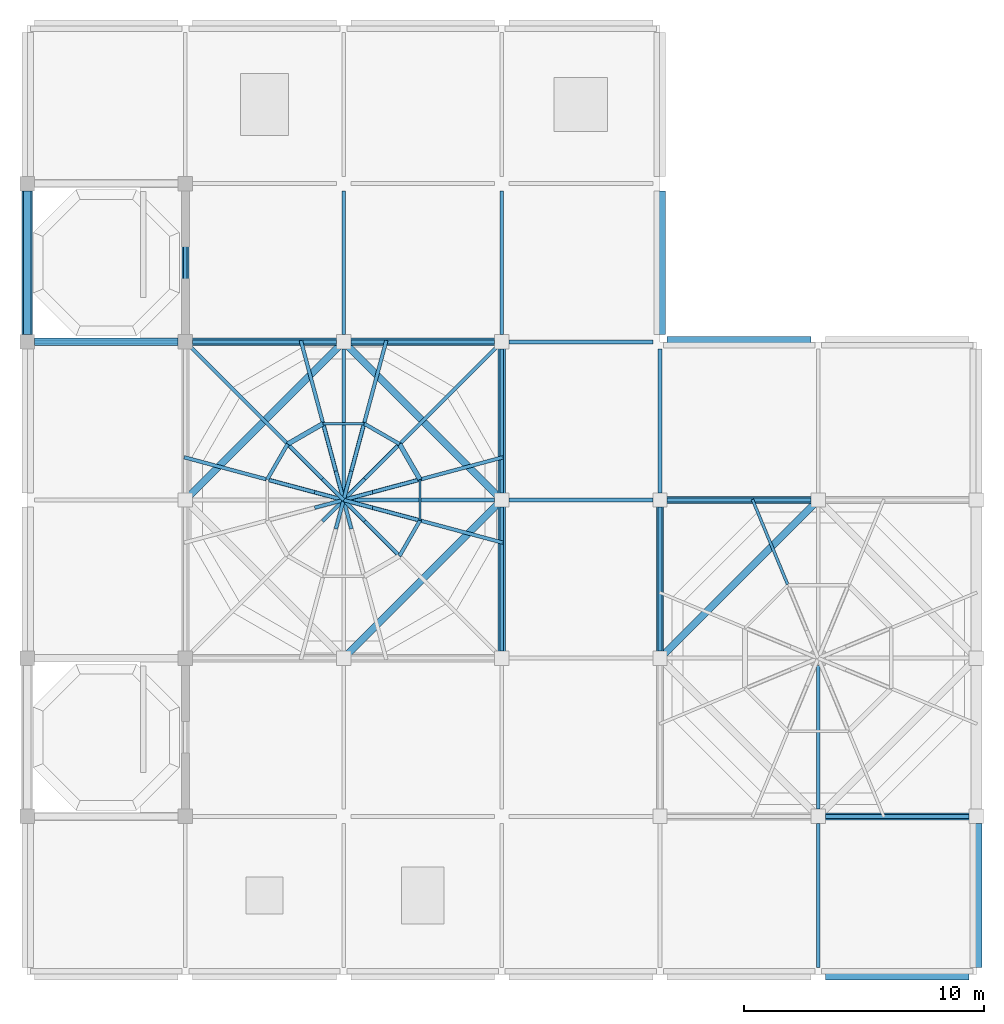
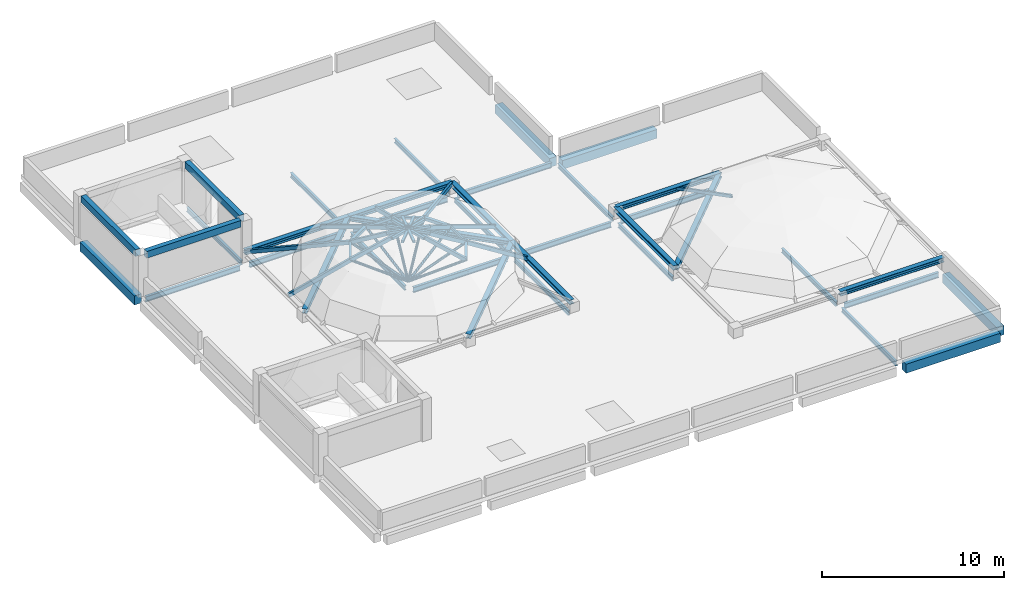
# One storey, part 2 of 5: 43 members, 37 beams.
"""IFC4 building model written with IfcOpenShell, lengths in metres."""

from ifc_helpers import new_model, si_unit, direction, frame, origin, origin_2d, place, context, subcontext, project, spatial, rectangle, hollow_rectangle, hollow_circle, i_section, extrude, material, material_profile, profile_set, type_object, element, save


model = new_model("IFC4")

# Units and contexts
model_context = context("Model", 3, precision=1e-05, world=origin(), true_north=direction((0.0, 1.0)))
body_context = subcontext(model_context, "Body", "Model", "MODEL_VIEW")
ifc_project = project(units=[si_unit("LENGTHUNIT", "METRE"), si_unit("AREAUNIT", "SQUARE_METRE"), si_unit("VOLUMEUNIT", "CUBIC_METRE"), si_unit("PLANEANGLEUNIT", "RADIAN"), si_unit("MASSUNIT", "GRAM", prefix="KILO")], contexts=[model_context])

# Site, building, storey
site_placement = place(None, origin())
site = spatial("IfcSite", under=ifc_project, at=site_placement, CompositionType="ELEMENT")
building_placement = place(site_placement, origin())
building = spatial("IfcBuilding", under=site, at=building_placement, Name="Rusizi Kubbe Research Institute", CompositionType="ELEMENT")
storey_placement = place(building_placement, frame((0.0, 0.0, 73.199951171875)))
storey = spatial("IfcBuildingStorey", under=building, at=storey_placement, Name="ROOF", CompositionType="ELEMENT", Elevation=73.199951171875)

# Beams
ifc_material_1 = material(Name="Steel S355", Category="steel")
ifc_material_profile_1 = material_profile(ifc_material_1, i_section(OverallWidth=0.300048828125, OverallDepth=0.300048828125, WebThickness=0.010986328125, FlangeThickness=0.01904296875, at=origin_2d()), Name="HEB 300")
ifc_profile_set_1 = profile_set([ifc_material_profile_1], Name="Steel S355")
beam_type_1 = type_object("IfcBeamType", Name="BM-HEB300", PredefinedType="BEAM", material=ifc_profile_set_1)
beam_1_placement = place(storey_placement, frame((19.800048828125, 13.199951171875, 0.5), z_axis=(0.0, 1.0, 0.0), x_axis=(-1.0, 0.0, 0.0)))
element("IfcBeam", 1, at=beam_1_placement, inside=storey, type_object=beam_type_1, Name="Kubbe Dome Ring Beam DOME-CRN1 E1", PredefinedType="BEAM", context=body_context, shape_type="SweptSolid", body=[
    extrude(i_section(OverallWidth=0.300048828125, OverallDepth=0.300048828125, WebThickness=0.010986328125, FlangeThickness=0.01904296875, at=origin_2d()), origin(), (0.0, 0.0, 1.0), 6.60009765625),
])
for number, where, z_axis, x_axis, name in (
    (2, (19.800048828125, 19.800048828125, 0.5), (0.0, 1.0, 0.0), (-1.0, 0.0, 0.0), "Kubbe Dome Ring Beam DOME-CRN1 E2"),
    (3, (6.60009765625, 26.39990234375, 0.5), (1.0, 0.0, 0.0), (0.0, 1.0, 0.0), "Kubbe Dome Ring Beam DOME-CRN1 N1"),
):
    element("IfcBeam", number, at=place(storey_placement, frame(where, z_axis=z_axis, x_axis=x_axis)), inside=storey, type_object=beam_type_1, Name=name, PredefinedType="BEAM", context=body_context, shape_type="SweptSolid", body=[
        extrude(i_section(OverallWidth=0.300048828125, OverallDepth=0.300048828125, WebThickness=0.010986328125, FlangeThickness=0.01904296875, at=origin_2d()), origin(), (0.0, 0.0, 1.0), 6.599853515625),
    ])
beam_2_placement = place(storey_placement, frame((13.199951171875, 26.39990234375, 0.5), z_axis=(1.0, 0.0, 0.0), x_axis=(0.0, 1.0, 0.0)))
element("IfcBeam", 4, at=beam_2_placement, inside=storey, type_object=beam_type_1, Name="Kubbe Dome Ring Beam DOME-CRN1 N2", PredefinedType="BEAM", context=body_context, shape_type="SweptSolid", body=[
    extrude(i_section(OverallWidth=0.300048828125, OverallDepth=0.300048828125, WebThickness=0.010986328125, FlangeThickness=0.01904296875, at=origin_2d()), origin(), (0.0, 0.0, 1.0), 6.60009765625),
])
beam_3_placement = place(storey_placement, frame((13.199951171875, 13.199951171875, 0.5), z_axis=(0.707106781187, 0.707106781187, 0.0), x_axis=(-0.707106781187, 0.707106781187, 0.0)))
element("IfcBeam", 5, at=beam_3_placement, inside=storey, type_object=beam_type_1, Name="Kubbe Dome Ring Beam DOME-CRN1 PSE", PredefinedType="BEAM", context=body_context, shape_type="SweptSolid", body=[
    extrude(i_section(OverallWidth=0.300048828125, OverallDepth=0.300048828125, WebThickness=0.010986328125, FlangeThickness=0.01904296875, at=origin_2d()), origin(), (0.0, 0.0, 1.0), 9.333984375),
])
beam_4_placement = place(storey_placement, frame((19.800048828125, 19.800048828125, 0.5), z_axis=(-0.707119859409, 0.707093702722, 0.0), x_axis=(-0.707093702722, -0.707119859409, 0.0)))
element("IfcBeam", 6, at=beam_4_placement, inside=storey, type_object=beam_type_1, Name="Kubbe Dome Ring Beam DOME-CRN1 PNE", PredefinedType="BEAM", context=body_context, shape_type="SweptSolid", body=[
    extrude(i_section(OverallWidth=0.300048828125, OverallDepth=0.300048828125, WebThickness=0.010986328125, FlangeThickness=0.01904296875, at=origin_2d()), origin(), (0.0, 0.0, 1.0), 9.333740234375),
])
beam_5_placement = place(storey_placement, frame((13.199951171875, 26.39990234375, 0.5), z_axis=(-0.707106781187, -0.707106781187, 0.0), x_axis=(0.707106781187, -0.707106781187, 0.0)))
element("IfcBeam", 7, at=beam_5_placement, inside=storey, type_object=beam_type_1, Name="Kubbe Dome Ring Beam DOME-CRN1 PNW", PredefinedType="BEAM", context=body_context, shape_type="SweptSolid", body=[
    extrude(i_section(OverallWidth=0.300048828125, OverallDepth=0.300048828125, WebThickness=0.010986328125, FlangeThickness=0.01904296875, at=origin_2d()), origin(), (0.0, 0.0, 1.0), 9.33349609375),
])
for number, where, z_axis, x_axis, name in (
    (8, (33.0, 6.60009765625, 0.5), (1.0, 0.0, 0.0), (0.0, 1.0, 0.0), "Kubbe Dome Ring Beam DOME-CRN2 S2"),
    (9, (26.39990234375, 19.800048828125, 0.5), (1.0, 0.0, 0.0), (0.0, 1.0, 0.0), "Kubbe Dome Ring Beam DOME-CRN2 N1"),
    (10, (26.39990234375, 13.199951171875, 0.5), (0.0, 1.0, 0.0), (-1.0, 0.0, 0.0), "Kubbe Dome Ring Beam DOME-CRN2 W2"),
):
    element("IfcBeam", number, at=place(storey_placement, frame(where, z_axis=z_axis, x_axis=x_axis)), inside=storey, type_object=beam_type_1, Name=name, PredefinedType="BEAM", context=body_context, shape_type="SweptSolid", body=[
        extrude(i_section(OverallWidth=0.300048828125, OverallDepth=0.300048828125, WebThickness=0.010986328125, FlangeThickness=0.01904296875, at=origin_2d()), origin(), (0.0, 0.0, 1.0), 6.60009765625),
    ])
beam_6_placement = place(storey_placement, frame((33.0, 19.800048828125, 0.5), z_axis=(-0.707106781187, -0.707106781187, 0.0), x_axis=(0.707106781187, -0.707106781187, 0.0)))
element("IfcBeam", 11, at=beam_6_placement, inside=storey, type_object=beam_type_1, Name="Kubbe Dome Ring Beam DOME-CRN2 PNW", PredefinedType="BEAM", context=body_context, shape_type="SweptSolid", body=[
    extrude(i_section(OverallWidth=0.300048828125, OverallDepth=0.300048828125, WebThickness=0.010986328125, FlangeThickness=0.01904296875, at=origin_2d()), origin(), (0.0, 0.0, 1.0), 9.333984375),
])
ifc_material_2 = material(Name="Steel S355", Category="steel")
ifc_material_profile_2 = material_profile(ifc_material_2, i_section(OverallWidth=0.14990234375, OverallDepth=0.300048828125, WebThickness=0.007080078125, FlangeThickness=0.0107421875, at=origin_2d()), Name="IPE 300")
ifc_profile_set_2 = profile_set([ifc_material_profile_2], Name="Steel S355")
beam_type_2 = type_object("IfcBeamType", Name="BM-IPE300", PredefinedType="BEAM", material=ifc_profile_set_2)
for number, where, z_axis, x_axis, name in (
    (12, (6.60009765625, 26.699951171875, -0.429931640625), (0.0, 1.0, 0.0), (-1.0, 0.0, 0.0), "Grid Beam V ROOF (1,4)"),
    (13, (13.199951171875, 20.10009765625, -0.429931640625), (0.0, 1.0, 0.0), (-1.0, 0.0, 0.0), "Grid Beam V ROOF (2,3)"),
    (14, (13.199951171875, 26.699951171875, -0.429931640625), (0.0, 1.0, 0.0), (-1.0, 0.0, 0.0), "Grid Beam V ROOF (2,4)"),
    (15, (19.800048828125, 13.5, -0.429931640625), (0.0, 1.0, 0.0), (-1.0, 0.0, 0.0), "Grid Beam V ROOF (3,2)"),
    (16, (19.800048828125, 20.10009765625, -0.429931640625), (0.0, 1.0, 0.0), (-1.0, 0.0, 0.0), "Grid Beam V ROOF (3,3)"),
    (17, (19.800048828125, 26.699951171875, -0.429931640625), (0.0, 1.0, 0.0), (-1.0, 0.0, 0.0), "Grid Beam V ROOF (3,4)"),
    (18, (26.39990234375, 13.5, -0.429931640625), (0.0, 1.0, 0.0), (-1.0, 0.0, 0.0), "Grid Beam V ROOF (4,2)"),
    (19, (26.39990234375, 20.10009765625, -0.429931640625), (0.0, 1.0, 0.0), (-1.0, 0.0, 0.0), "Grid Beam V ROOF (4,3)"),
    (20, (33.0, 0.300048828125, -0.429931640625), (0.0, 1.0, 0.0), (-1.0, 0.0, 0.0), "Grid Beam V ROOF (5,0)"),
    (21, (33.0, 6.89990234375, -0.429931640625), (0.0, 1.0, 0.0), (-1.0, 0.0, 0.0), "Grid Beam V ROOF (5,1)"),
):
    element("IfcBeam", number, at=place(storey_placement, frame(where, z_axis=z_axis, x_axis=x_axis)), inside=storey, type_object=beam_type_2, Name=name, PredefinedType="BEAM", context=body_context, shape_type="SweptSolid", body=[
        extrude(i_section(OverallWidth=0.14990234375, OverallDepth=0.300048828125, WebThickness=0.007080078125, FlangeThickness=0.0107421875, at=origin_2d()), origin(), (0.0, 0.0, 1.0), 6.0),
    ])
ifc_material_3 = material(Name="Steel S355", Category="steel")
ifc_material_profile_3 = material_profile(ifc_material_3, i_section(OverallWidth=0.169921875, OverallDepth=0.360107421875, WebThickness=0.008056640625, FlangeThickness=0.0126953125, at=origin_2d()), Name="IPE 360")
ifc_profile_set_3 = profile_set([ifc_material_profile_3], Name="Steel S355")
beam_type_3 = type_object("IfcBeamType", Name="BM-IPE360", PredefinedType="BEAM", material=ifc_profile_set_3)
for number, where, z_axis, x_axis, name in (
    (22, (0.300048828125, 26.39990234375, -0.4599609375), (1.0, 0.0, 0.0), (0.0, 1.0, 0.0), "Grid Beam H ROOF (0,4)"),
    (23, (6.89990234375, 26.39990234375, -0.4599609375), (1.0, 0.0, 0.0), (0.0, 1.0, 0.0), "Grid Beam H ROOF (1,4)"),
    (24, (13.5, 19.800048828125, -0.4599609375), (1.0, 0.0, 0.0), (0.0, 1.0, 0.0), "Grid Beam H ROOF (2,3)"),
    (25, (13.5, 26.39990234375, -0.4599609375), (1.0, 0.0, 0.0), (0.0, 1.0, 0.0), "Grid Beam H ROOF (2,4)"),
    (26, (20.10009765625, 19.800048828125, -0.4599609375), (1.0, 0.0, 0.0), (0.0, 1.0, 0.0), "Grid Beam H ROOF (3,3)"),
    (27, (20.10009765625, 26.39990234375, -0.4599609375), (1.0, 0.0, 0.0), (0.0, 1.0, 0.0), "Grid Beam H ROOF (3,4)"),
    (28, (26.699951171875, 19.800048828125, -0.4599609375), (1.0, 0.0, 0.0), (0.0, 1.0, 0.0), "Grid Beam H ROOF (4,3)"),
    (29, (33.300048828125, 6.60009765625, -0.4599609375), (1.0, 0.0, 0.0), (0.0, 1.0, 0.0), "Grid Beam H ROOF (5,1)"),
):
    element("IfcBeam", number, at=place(storey_placement, frame(where, z_axis=z_axis, x_axis=x_axis)), inside=storey, type_object=beam_type_3, Name=name, PredefinedType="BEAM", context=body_context, shape_type="SweptSolid", body=[
        extrude(i_section(OverallWidth=0.169921875, OverallDepth=0.360107421875, WebThickness=0.008056640625, FlangeThickness=0.0126953125, at=origin_2d()), origin(), (0.0, 0.0, 1.0), 6.0),
    ])
ifc_material_4 = material(Name="Concrete C40/50", Category="concrete")
ifc_material_profile_4 = material_profile(ifc_material_4, rectangle(XDim=0.300048828125, YDim=0.449951171875, at=origin_2d()), Name="RC300x450")
ifc_profile_set_4 = profile_set([ifc_material_profile_4], Name="Concrete C40/50")
beam_type_4 = type_object("IfcBeamType", Name="BM-RC300x450", PredefinedType="LINTEL", material=ifc_profile_set_4)
for number, where, z_axis, x_axis, name in (
    (30, (0.300048828125, 26.39990234375, 2.574951171875), (1.0, 0.0, 0.0), (0.0, 1.0, 0.0), "Roof Stair Headhouse Beam ST2 South"),
    (31, (0.0, 26.699951171875, 2.574951171875), (0.0, 1.0, 0.0), (-1.0, 0.0, 0.0), "Roof Stair Headhouse Beam ST2 West"),
    (32, (6.60009765625, 26.699951171875, 2.574951171875), (0.0, 1.0, 0.0), (-1.0, 0.0, 0.0), "Roof Stair Headhouse Beam ST2 East"),
):
    element("IfcBeam", number, at=place(storey_placement, frame(where, z_axis=z_axis, x_axis=x_axis)), inside=storey, type_object=beam_type_4, Name=name, PredefinedType="LINTEL", context=body_context, shape_type="SweptSolid", body=[
        extrude(rectangle(XDim=0.300048828125, YDim=0.449951171875, at=origin_2d()), origin(), (0.0, 0.0, 1.0), 6.0),
    ])
ifc_material_5 = material(Name="Concrete C40/50", Category="concrete")
ifc_material_profile_5 = material_profile(ifc_material_5, rectangle(XDim=0.449951171875, YDim=0.60009765625, at=origin_2d()), Name="RC450x600")
ifc_profile_set_5 = profile_set([ifc_material_profile_5], Name="Concrete C40/50")
beam_type_5 = type_object("IfcBeamType", Name="BM-RC450x600", PredefinedType="SPANDREL", material=ifc_profile_set_5)
for number, where, z_axis, x_axis, name in (
    (33, (26.699951171875, 26.39990234375, -0.579833984375), (1.0, 0.0, 0.0), (0.0, 1.0, 0.0), "Grid Beam H ROOF (4,4)"),
    (34, (33.300048828125, 0.0, -0.579833984375), (1.0, 0.0, 0.0), (0.0, 1.0, 0.0), "Grid Beam H ROOF (5,0)"),
    (35, (0.0, 26.699951171875, -0.579833984375), (0.0, 1.0, 0.0), (-1.0, 0.0, 0.0), "Grid Beam V ROOF (0,4)"),
    (36, (26.39990234375, 26.699951171875, -0.579833984375), (0.0, 1.0, 0.0), (-1.0, 0.0, 0.0), "Grid Beam V ROOF (4,4)"),
    (37, (39.60009765625, 0.300048828125, -0.579833984375), (0.0, 1.0, 0.0), (-1.0, 0.0, 0.0), "Grid Beam V ROOF (6,0)"),
):
    element("IfcBeam", number, at=place(storey_placement, frame(where, z_axis=z_axis, x_axis=x_axis)), inside=storey, type_object=beam_type_5, Name=name, PredefinedType="SPANDREL", context=body_context, shape_type="SweptSolid", body=[
        extrude(rectangle(XDim=0.449951171875, YDim=0.60009765625, at=origin_2d()), origin(), (0.0, 0.0, 1.0), 6.0),
    ])

# Members
ifc_material_6 = material(Name="Steel S355", Category="steel")
ifc_material_profile_6 = material_profile(ifc_material_6, hollow_circle(Radius=0.084228515625, WallThickness=0.00634765625, at=origin_2d()), Name="CHS 168.3x6.3")
ifc_profile_set_6 = profile_set([ifc_material_profile_6], Name="Steel S355")
member_type_1 = type_object("IfcMemberType", Name="MB-CHS168", PredefinedType="STRUT", material=ifc_profile_set_6)
for number, where, z_axis, x_axis, name in (
    (38, (13.199951171875, 19.800048828125, 0.199951171875), (0.821035838928, 0.219974216036, 0.526793598552), (-0.258795254151, 0.965932200741, 0.0), "Kubbe Radial King-Post Strut DOME-CRN1-1"),
    (39, (13.199951171875, 19.800048828125, 0.199951171875), (0.601043097676, 0.601043097676, 0.526777362338), (-0.707106781187, 0.707106781187, 0.0), "Kubbe Radial King-Post Strut DOME-CRN1-2"),
    (40, (13.199951171875, 19.800048828125, 0.199951171875), (0.22003405755, 0.821024479958, 0.526786310402), (-0.965913704263, 0.258864280884, 0.0), "Kubbe Radial King-Post Strut DOME-CRN1-3"),
    (41, (13.199951171875, 19.800048828125, 0.199951171875), (-0.219974216036, 0.821035838928, 0.526793598552), (-0.965932200741, -0.258795254151, 0.0), "Kubbe Radial King-Post Strut DOME-CRN1-4"),
    (42, (13.199951171875, 19.800048828125, 0.199951171875), (-0.601043097676, 0.601043097676, 0.526777362338), (-0.707106781187, -0.707106781187, 0.0), "Kubbe Radial King-Post Strut DOME-CRN1-5"),
    (43, (13.199951171875, 19.800048828125, 0.199951171875), (-0.821035838928, 0.219974216036, 0.526793598552), (-0.258795254151, -0.965932200741, 0.0), "Kubbe Radial King-Post Strut DOME-CRN1-6"),
    (44, (13.199951171875, 19.800048828125, 0.199951171875), (0.601043097676, -0.601043097676, 0.526777362338), (0.707106781187, 0.707106781187, 0.0), "Kubbe Radial King-Post Strut DOME-CRN1-11"),
    (45, (13.199951171875, 19.800048828125, 0.199951171875), (0.821024479958, -0.22003405755, 0.526786310402), (0.258864280884, 0.965913704263, 0.0), "Kubbe Radial King-Post Strut DOME-CRN1-12"),
):
    element("IfcMember", number, at=place(storey_placement, frame(where, z_axis=z_axis, x_axis=x_axis)), inside=storey, type_object=member_type_1, Name=name, PredefinedType="STRUT", context=body_context, shape_type="SweptSolid", body=[
        extrude(hollow_circle(Radius=0.084228515625, WallThickness=0.00634765625, at=origin_2d()), origin(), (0.0, 0.0, 1.0), 3.88232421875),
    ])
ifc_material_7 = material(Name="Steel S355", Category="steel")
ifc_material_profile_7 = material_profile(ifc_material_7, hollow_rectangle(XDim=0.10009765625, YDim=0.179931640625, WallThickness=0.008056640625, at=origin_2d()), Name="RHS 180x100x8.0")
ifc_profile_set_7 = profile_set([ifc_material_profile_7], Name="Steel S355")
member_type_2 = type_object("IfcMemberType", Name="MB-RHS180", PredefinedType="PURLIN", material=ifc_profile_set_7)
for number, where, z_axis, x_axis, name in (
    (46, (14.05419921875, 22.987548828125, 2.2451171875), (-1.0, 0.0, 0.0), (0.0, -1.0, 0.0), "Kubbe Vault Hoop Purlin Mid DOME-CRN1-3"),
    (47, (16.387451171875, 18.94580078125, 2.2451171875), (0.0, 1.0, 0.0), (-1.0, 0.0, 0.0), "Kubbe Vault Hoop Purlin Mid DOME-CRN1-12"),
):
    element("IfcMember", number, at=place(storey_placement, frame(where, z_axis=z_axis, x_axis=x_axis)), inside=storey, type_object=member_type_2, Name=name, PredefinedType="PURLIN", context=body_context, shape_type="SweptSolid", body=[
        extrude(hollow_rectangle(XDim=0.10009765625, YDim=0.179931640625, WallThickness=0.008056640625, at=origin_2d()), origin(), (0.0, 0.0, 1.0), 1.708251953125),
    ])
ifc_material_8 = material(Name="Steel S355", Category="steel")
ifc_material_profile_8 = material_profile(ifc_material_8, hollow_rectangle(XDim=0.1201171875, YDim=0.199951171875, WallThickness=0.008056640625, at=origin_2d()), Name="RHS 200x120x8.0")
ifc_profile_set_8 = profile_set([ifc_material_profile_8], Name="Steel S355")
member_type_3 = type_object("IfcMemberType", Name="MB-RHS200", PredefinedType="RAFTER", material=ifc_profile_set_8)
member_1_placement = place(storey_placement, frame((30.26611328125, 19.800048828125, 0.5), z_axis=(0.36803410121, -0.888535109742, 0.273963974096), x_axis=(0.923882911584, 0.38267527446, 0.0)))
element("IfcMember", 48, at=member_1_placement, inside=storey, type_object=member_type_3, Name="Kubbe Arch Rib Lower DOME-CRN2-3", PredefinedType="RAFTER", context=body_context, shape_type="SweptSolid", body=[
    extrude(hollow_rectangle(XDim=0.1201171875, YDim=0.199951171875, WallThickness=0.008056640625, at=origin_2d()), origin(), (0.0, 0.0, 1.0), 3.996826171875),
])
ifc_material_9 = material(Name="Steel S355", Category="steel")
ifc_material_profile_9 = material_profile(ifc_material_9, hollow_rectangle(XDim=0.14990234375, YDim=0.25, WallThickness=0.010009765625, at=origin_2d()), Name="RHS 250x150x10.0")
ifc_profile_set_9 = profile_set([ifc_material_profile_9], Name="Steel S355")
member_type_4 = type_object("IfcMemberType", Name="MB-RHS250", PredefinedType="RAFTER", material=ifc_profile_set_9)
member_2_placement = place(storey_placement, frame((19.800048828125, 21.568359375, 0.5), z_axis=(-0.866040749772, -0.232030519953, 0.442871603904), x_axis=(0.258793654114, -0.965932629426, 0.0)))
element("IfcMember", 49, at=member_2_placement, inside=storey, type_object=member_type_4, Name="Kubbe Arch Rib Lower DOME-CRN1-1", PredefinedType="RAFTER", context=body_context, shape_type="SweptSolid", body=[
    extrude(hollow_rectangle(XDim=0.14990234375, YDim=0.25, WallThickness=0.010009765625, at=origin_2d()), origin(), (0.0, 0.0, 1.0), 3.9404296875),
])
member_3_placement = place(storey_placement, frame((16.387451171875, 20.654052734375, 2.2451171875), z_axis=(-0.875824510908, -0.234653350119, 0.421745458033), x_axis=(0.258795254151, -0.965932200741, 0.0)))
element("IfcMember", 50, at=member_3_placement, inside=storey, type_object=member_type_4, Name="Kubbe Arch Rib Upper DOME-CRN1-1", PredefinedType="RAFTER", context=body_context, shape_type="SweptSolid", body=[
    extrude(hollow_rectangle(XDim=0.14990234375, YDim=0.25, WallThickness=0.010009765625, at=origin_2d()), origin(), (0.0, 0.0, 1.0), 3.639404296875),
])
member_4_placement = place(storey_placement, frame((19.800048828125, 26.39990234375, 0.5), z_axis=(-0.679285544135, -0.679246674512, 0.277840070352), x_axis=(0.707086549522, -0.707127012272, 0.0)))
element("IfcMember", 51, at=member_4_placement, inside=storey, type_object=member_type_4, Name="Kubbe Arch Rib Lower DOME-CRN1-2", PredefinedType="RAFTER", context=body_context, shape_type="SweptSolid", body=[
    extrude(hollow_rectangle(XDim=0.14990234375, YDim=0.25, WallThickness=0.010009765625, at=origin_2d()), origin(), (0.0, 0.0, 1.0), 6.281005859375),
])
member_5_placement = place(storey_placement, frame((15.533447265625, 22.133544921875, 2.2451171875), z_axis=(-0.641148674103, -0.641148674103, 0.421730666885), x_axis=(0.707106781187, -0.707106781187, 0.0)))
element("IfcMember", 52, at=member_5_placement, inside=storey, type_object=member_type_4, Name="Kubbe Arch Rib Upper DOME-CRN1-2", PredefinedType="RAFTER", context=body_context, shape_type="SweptSolid", body=[
    extrude(hollow_rectangle(XDim=0.14990234375, YDim=0.25, WallThickness=0.010009765625, at=origin_2d()), origin(), (0.0, 0.0, 1.0), 3.6396484375),
])
member_6_placement = place(storey_placement, frame((14.968505859375, 26.39990234375, 0.5), z_axis=(-0.232042970721, -0.866025260819, 0.442895368415), x_axis=(0.965928000796, -0.258810929597, 0.0)))
element("IfcMember", 53, at=member_6_placement, inside=storey, type_object=member_type_4, Name="Kubbe Arch Rib Lower DOME-CRN1-3", PredefinedType="RAFTER", context=body_context, shape_type="SweptSolid", body=[
    extrude(hollow_rectangle(XDim=0.14990234375, YDim=0.25, WallThickness=0.010009765625, at=origin_2d()), origin(), (0.0, 0.0, 1.0), 3.940185546875),
])
member_7_placement = place(storey_placement, frame((14.05419921875, 22.987548828125, 2.2451171875), z_axis=(-0.234716737079, -0.875810722865, 0.421738818524), x_axis=(0.965913704263, -0.258864280884, 0.0)))
element("IfcMember", 54, at=member_7_placement, inside=storey, type_object=member_type_4, Name="Kubbe Arch Rib Upper DOME-CRN1-3", PredefinedType="RAFTER", context=body_context, shape_type="SweptSolid", body=[
    extrude(hollow_rectangle(XDim=0.14990234375, YDim=0.25, WallThickness=0.010009765625, at=origin_2d()), origin(), (0.0, 0.0, 1.0), 3.639404296875),
])
member_8_placement = place(storey_placement, frame((11.431640625, 26.39990234375, 0.5), z_axis=(0.232042970721, -0.866025260819, 0.442895368415), x_axis=(0.965928000796, 0.258810929597, 0.0)))
element("IfcMember", 55, at=member_8_placement, inside=storey, type_object=member_type_4, Name="Kubbe Arch Rib Lower DOME-CRN1-4", PredefinedType="RAFTER", context=body_context, shape_type="SweptSolid", body=[
    extrude(hollow_rectangle(XDim=0.14990234375, YDim=0.25, WallThickness=0.010009765625, at=origin_2d()), origin(), (0.0, 0.0, 1.0), 3.940185546875),
])
member_9_placement = place(storey_placement, frame((12.345947265625, 22.987548828125, 2.2451171875), z_axis=(0.234653350119, -0.875824510908, 0.421745458033), x_axis=(0.965932200741, 0.258795254151, 0.0)))
element("IfcMember", 56, at=member_9_placement, inside=storey, type_object=member_type_4, Name="Kubbe Arch Rib Upper DOME-CRN1-4", PredefinedType="RAFTER", context=body_context, shape_type="SweptSolid", body=[
    extrude(hollow_rectangle(XDim=0.14990234375, YDim=0.25, WallThickness=0.010009765625, at=origin_2d()), origin(), (0.0, 0.0, 1.0), 3.639404296875),
])
member_10_placement = place(storey_placement, frame((6.60009765625, 26.39990234375, 0.5), z_axis=(0.679264609248, -0.679264609248, 0.277847406404), x_axis=(0.707106781187, 0.707106781187, 0.0)))
element("IfcMember", 57, at=member_10_placement, inside=storey, type_object=member_type_4, Name="Kubbe Arch Rib Lower DOME-CRN1-5", PredefinedType="RAFTER", context=body_context, shape_type="SweptSolid", body=[
    extrude(hollow_rectangle(XDim=0.14990234375, YDim=0.25, WallThickness=0.010009765625, at=origin_2d()), origin(), (0.0, 0.0, 1.0), 6.28076171875),
])
member_11_placement = place(storey_placement, frame((10.866455078125, 22.133544921875, 2.2451171875), z_axis=(0.641148674103, -0.641148674103, 0.421730666885), x_axis=(0.707106781187, 0.707106781187, 0.0)))
element("IfcMember", 58, at=member_11_placement, inside=storey, type_object=member_type_4, Name="Kubbe Arch Rib Upper DOME-CRN1-5", PredefinedType="RAFTER", context=body_context, shape_type="SweptSolid", body=[
    extrude(hollow_rectangle(XDim=0.14990234375, YDim=0.25, WallThickness=0.010009765625, at=origin_2d()), origin(), (0.0, 0.0, 1.0), 3.6396484375),
])
member_12_placement = place(storey_placement, frame((6.60009765625, 21.568359375, 0.5), z_axis=(0.866025260819, -0.232042970721, 0.442895368415), x_axis=(0.258810929597, 0.965928000796, 0.0)))
element("IfcMember", 59, at=member_12_placement, inside=storey, type_object=member_type_4, Name="Kubbe Arch Rib Lower DOME-CRN1-6", PredefinedType="RAFTER", context=body_context, shape_type="SweptSolid", body=[
    extrude(hollow_rectangle(XDim=0.14990234375, YDim=0.25, WallThickness=0.010009765625, at=origin_2d()), origin(), (0.0, 0.0, 1.0), 3.940185546875),
])
member_13_placement = place(storey_placement, frame((10.012451171875, 20.654052734375, 2.2451171875), z_axis=(0.875824510908, -0.234653350119, 0.421745458033), x_axis=(0.258795254151, 0.965932200741, 0.0)))
element("IfcMember", 60, at=member_13_placement, inside=storey, type_object=member_type_4, Name="Kubbe Arch Rib Upper DOME-CRN1-6", PredefinedType="RAFTER", context=body_context, shape_type="SweptSolid", body=[
    extrude(hollow_rectangle(XDim=0.14990234375, YDim=0.25, WallThickness=0.010009765625, at=origin_2d()), origin(), (0.0, 0.0, 1.0), 3.639404296875),
])
member_14_placement = place(storey_placement, frame((15.533447265625, 17.466552734375, 2.2451171875), z_axis=(-0.641148674103, 0.641148674103, 0.421730666885), x_axis=(-0.707106781187, -0.707106781187, 0.0)))
element("IfcMember", 61, at=member_14_placement, inside=storey, type_object=member_type_4, Name="Kubbe Arch Rib Upper DOME-CRN1-11", PredefinedType="RAFTER", context=body_context, shape_type="SweptSolid", body=[
    extrude(hollow_rectangle(XDim=0.14990234375, YDim=0.25, WallThickness=0.010009765625, at=origin_2d()), origin(), (0.0, 0.0, 1.0), 3.6396484375),
])
member_15_placement = place(storey_placement, frame((19.800048828125, 18.031494140625, 0.5), z_axis=(-0.866040749772, 0.232030519953, 0.442871603904), x_axis=(-0.258793654114, -0.965932629426, 0.0)))
element("IfcMember", 62, at=member_15_placement, inside=storey, type_object=member_type_4, Name="Kubbe Arch Rib Lower DOME-CRN1-12", PredefinedType="RAFTER", context=body_context, shape_type="SweptSolid", body=[
    extrude(hollow_rectangle(XDim=0.14990234375, YDim=0.25, WallThickness=0.010009765625, at=origin_2d()), origin(), (0.0, 0.0, 1.0), 3.9404296875),
])
member_16_placement = place(storey_placement, frame((16.387451171875, 18.94580078125, 2.2451171875), z_axis=(-0.875810722865, 0.234716737079, 0.421738818524), x_axis=(-0.258864280884, -0.965913704263, 0.0)))
element("IfcMember", 63, at=member_16_placement, inside=storey, type_object=member_type_4, Name="Kubbe Arch Rib Upper DOME-CRN1-12", PredefinedType="RAFTER", context=body_context, shape_type="SweptSolid", body=[
    extrude(hollow_rectangle(XDim=0.14990234375, YDim=0.25, WallThickness=0.010009765625, at=origin_2d()), origin(), (0.0, 0.0, 1.0), 3.639404296875),
])
ifc_material_10 = material(Name="Steel S355", Category="steel")
ifc_material_profile_10 = material_profile(ifc_material_10, hollow_rectangle(XDim=0.14990234375, YDim=0.14990234375, WallThickness=0.008056640625, at=origin_2d()), Name="SHS 150x150x8.0")
ifc_profile_set_10 = profile_set([ifc_material_profile_10], Name="Steel S355")
member_type_5 = type_object("IfcMemberType", Name="MB-SHS150", PredefinedType="PURLIN", material=ifc_profile_set_10)
member_17_placement = place(storey_placement, frame((13.199951171875, 19.800048828125, 3.699951171875), z_axis=(0.96593933493, 0.258768624905, 0.0), x_axis=(-0.258768624905, 0.96593933493, 0.0)))
element("IfcMember", 64, at=member_17_placement, inside=storey, type_object=member_type_5, Name="Kubbe Crown Collar DOME-CRN1-1", PredefinedType="PURLIN", context=body_context, shape_type="SweptSolid", body=[
    extrude(hollow_rectangle(XDim=0.14990234375, YDim=0.14990234375, WallThickness=0.008056640625, at=origin_2d()), origin(), (0.0, 0.0, 1.0), 1.25),
])
member_18_placement = place(storey_placement, frame((15.533447265625, 22.133544921875, 2.2451171875), z_axis=(-0.866035633198, 0.499982281718, 0.0), x_axis=(-0.499982281718, -0.866035633198, 0.0)))
element("IfcMember", 65, at=member_18_placement, inside=storey, type_object=member_type_5, Name="Kubbe Vault Hoop Purlin Mid DOME-CRN1-2", PredefinedType="PURLIN", context=body_context, shape_type="SweptSolid", body=[
    extrude(hollow_rectangle(XDim=0.14990234375, YDim=0.14990234375, WallThickness=0.008056640625, at=origin_2d()), origin(), (0.0, 0.0, 1.0), 1.7080078125),
])
member_19_placement = place(storey_placement, frame((13.199951171875, 19.800048828125, 3.699951171875), z_axis=(0.707204427637, 0.70700912125, 0.0), x_axis=(-0.70700912125, 0.707204427637, 0.0)))
element("IfcMember", 66, at=member_19_placement, inside=storey, type_object=member_type_5, Name="Kubbe Crown Collar DOME-CRN1-2", PredefinedType="PURLIN", context=body_context, shape_type="SweptSolid", body=[
    extrude(hollow_rectangle(XDim=0.14990234375, YDim=0.14990234375, WallThickness=0.008056640625, at=origin_2d()), origin(), (0.0, 0.0, 1.0), 1.25),
])
for number, where, z_axis, x_axis, name in (
    (67, (13.199951171875, 19.800048828125, 3.699951171875), (0.258817449225, 0.965926253902, 0.0), (-0.965926253902, 0.258817449225, 0.0), "Kubbe Crown Collar DOME-CRN1-3"),
    (68, (13.199951171875, 19.800048828125, 3.699951171875), (-0.258817449225, 0.965926253902, 0.0), (-0.965926253902, -0.258817449225, 0.0), "Kubbe Crown Collar DOME-CRN1-4"),
):
    element("IfcMember", number, at=place(storey_placement, frame(where, z_axis=z_axis, x_axis=x_axis)), inside=storey, type_object=member_type_5, Name=name, PredefinedType="PURLIN", context=body_context, shape_type="SweptSolid", body=[
        extrude(hollow_rectangle(XDim=0.14990234375, YDim=0.14990234375, WallThickness=0.008056640625, at=origin_2d()), origin(), (0.0, 0.0, 1.0), 1.249755859375),
    ])
member_20_placement = place(storey_placement, frame((10.866455078125, 22.133544921875, 2.2451171875), z_axis=(-0.499920397431, -0.866071357471, 0.0), x_axis=(0.866071357471, -0.499920397431, 0.0)))
element("IfcMember", 69, at=member_20_placement, inside=storey, type_object=member_type_5, Name="Kubbe Vault Hoop Purlin Mid DOME-CRN1-5", PredefinedType="PURLIN", context=body_context, shape_type="SweptSolid", body=[
    extrude(hollow_rectangle(XDim=0.14990234375, YDim=0.14990234375, WallThickness=0.008056640625, at=origin_2d()), origin(), (0.0, 0.0, 1.0), 1.708251953125),
])
for number, where, z_axis, x_axis, name in (
    (70, (13.199951171875, 19.800048828125, 3.699951171875), (-0.707106781187, 0.707106781187, 0.0), (-0.707106781187, -0.707106781187, 0.0), "Kubbe Crown Collar DOME-CRN1-5"),
    (71, (13.199951171875, 19.800048828125, 3.699951171875), (-0.965926253902, 0.258817449225, 0.0), (-0.258817449225, -0.965926253902, 0.0), "Kubbe Crown Collar DOME-CRN1-6"),
    (72, (13.199951171875, 19.800048828125, 3.699951171875), (-0.965926253902, -0.258817449225, 0.0), (0.258817449225, -0.965926253902, 0.0), "Kubbe Crown Collar DOME-CRN1-7"),
):
    element("IfcMember", number, at=place(storey_placement, frame(where, z_axis=z_axis, x_axis=x_axis)), inside=storey, type_object=member_type_5, Name=name, PredefinedType="PURLIN", context=body_context, shape_type="SweptSolid", body=[
        extrude(hollow_rectangle(XDim=0.14990234375, YDim=0.14990234375, WallThickness=0.008056640625, at=origin_2d()), origin(), (0.0, 0.0, 1.0), 1.249755859375),
    ])
for number, where, z_axis, x_axis, name in (
    (73, (13.199951171875, 19.800048828125, 3.699951171875), (-0.70700912125, -0.707204427637, 0.0), (0.707204427637, -0.70700912125, 0.0), "Kubbe Crown Collar DOME-CRN1-8"),
    (74, (13.199951171875, 19.800048828125, 3.699951171875), (-0.258768624905, -0.96593933493, 0.0), (0.96593933493, -0.258768624905, 0.0), "Kubbe Crown Collar DOME-CRN1-9"),
    (75, (13.199951171875, 19.800048828125, 3.699951171875), (0.258768624905, -0.96593933493, 0.0), (0.96593933493, 0.258768624905, 0.0), "Kubbe Crown Collar DOME-CRN1-10"),
):
    element("IfcMember", number, at=place(storey_placement, frame(where, z_axis=z_axis, x_axis=x_axis)), inside=storey, type_object=member_type_5, Name=name, PredefinedType="PURLIN", context=body_context, shape_type="SweptSolid", body=[
        extrude(hollow_rectangle(XDim=0.14990234375, YDim=0.14990234375, WallThickness=0.008056640625, at=origin_2d()), origin(), (0.0, 0.0, 1.0), 1.25),
    ])
member_21_placement = place(storey_placement, frame((15.533447265625, 17.466552734375, 2.2451171875), z_axis=(0.499982281718, 0.866035633198, 0.0), x_axis=(-0.866035633198, 0.499982281718, 0.0)))
element("IfcMember", 76, at=member_21_placement, inside=storey, type_object=member_type_5, Name="Kubbe Vault Hoop Purlin Mid DOME-CRN1-11", PredefinedType="PURLIN", context=body_context, shape_type="SweptSolid", body=[
    extrude(hollow_rectangle(XDim=0.14990234375, YDim=0.14990234375, WallThickness=0.008056640625, at=origin_2d()), origin(), (0.0, 0.0, 1.0), 1.7080078125),
])
member_22_placement = place(storey_placement, frame((13.199951171875, 19.800048828125, 3.699951171875), z_axis=(0.707106781187, -0.707106781187, 0.0), x_axis=(0.707106781187, 0.707106781187, 0.0)))
element("IfcMember", 77, at=member_22_placement, inside=storey, type_object=member_type_5, Name="Kubbe Crown Collar DOME-CRN1-11", PredefinedType="PURLIN", context=body_context, shape_type="SweptSolid", body=[
    extrude(hollow_rectangle(XDim=0.14990234375, YDim=0.14990234375, WallThickness=0.008056640625, at=origin_2d()), origin(), (0.0, 0.0, 1.0), 1.250244140625),
])
member_23_placement = place(storey_placement, frame((13.199951171875, 19.800048828125, 3.699951171875), z_axis=(0.96593933493, -0.258768624905, 0.0), x_axis=(0.258768624905, 0.96593933493, 0.0)))
element("IfcMember", 78, at=member_23_placement, inside=storey, type_object=member_type_5, Name="Kubbe Crown Collar DOME-CRN1-12", PredefinedType="PURLIN", context=body_context, shape_type="SweptSolid", body=[
    extrude(hollow_rectangle(XDim=0.14990234375, YDim=0.14990234375, WallThickness=0.008056640625, at=origin_2d()), origin(), (0.0, 0.0, 1.0), 1.25),
])
ifc_material_11 = material(Name="Steel S355", Category="steel")
ifc_material_profile_11 = material_profile(ifc_material_11, hollow_rectangle(XDim=0.199951171875, YDim=0.199951171875, WallThickness=0.010009765625, at=origin_2d()), Name="SHS 200x200x10.0")
ifc_profile_set_11 = profile_set([ifc_material_profile_11], Name="Steel S355")
member_type_6 = type_object("IfcMemberType", Name="MB-SHS200", PredefinedType="PURLIN", material=ifc_profile_set_11)
for number, where, z_axis, x_axis, name in (
    (79, (16.387451171875, 20.654052734375, 2.2451171875), (-0.499920397431, 0.866071357471, 0.0), (-0.866071357471, -0.499920397431, 0.0), "Kubbe Vault Hoop Purlin Mid DOME-CRN1-1"),
    (80, (12.345947265625, 22.987548828125, 2.2451171875), (-0.866071357471, -0.499920397431, 0.0), (0.499920397431, -0.866071357471, 0.0), "Kubbe Vault Hoop Purlin Mid DOME-CRN1-4"),
):
    element("IfcMember", number, at=place(storey_placement, frame(where, z_axis=z_axis, x_axis=x_axis)), inside=storey, type_object=member_type_6, Name=name, PredefinedType="PURLIN", context=body_context, shape_type="SweptSolid", body=[
        extrude(hollow_rectangle(XDim=0.199951171875, YDim=0.199951171875, WallThickness=0.010009765625, at=origin_2d()), origin(), (0.0, 0.0, 1.0), 1.708251953125),
    ])

save(model, "model.ifc")
